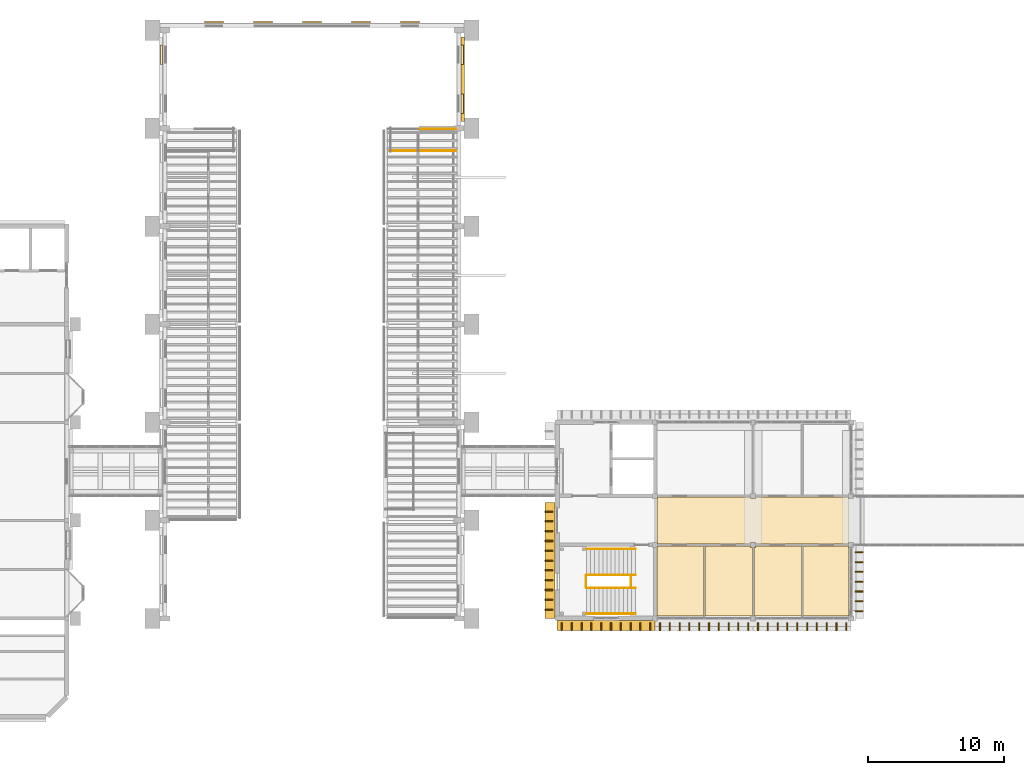
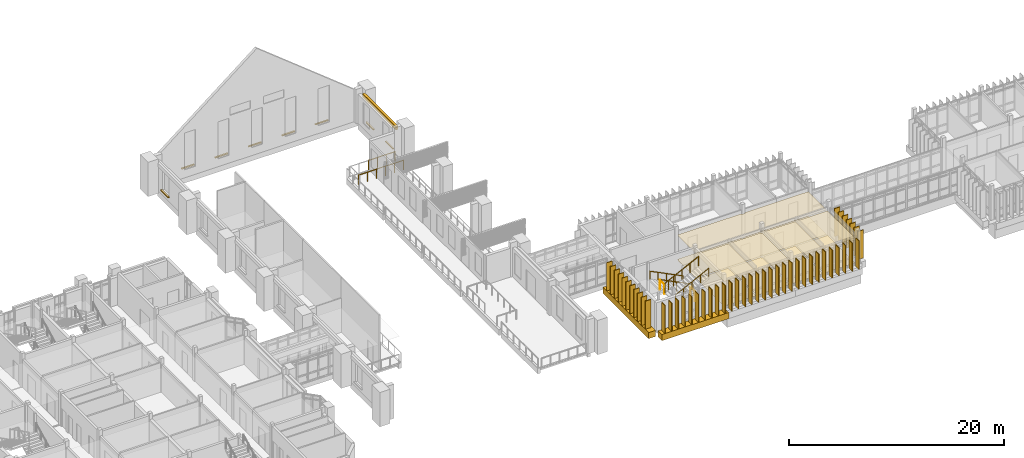
# One storey, part 62 of 69: 69 coverings, 8 railings.
"""IFC4 building model written with IfcOpenShell, lengths in metres."""

from ifc_helpers import new_model, si_unit, direction, frame, origin, origin_2d, place, context, subcontext, project, spatial, polyline, rectangle, circle, outline, extrude, material, layer, layer_set, type_object, element, save


model = new_model("IFC4")

# Units and contexts
model_context = context("Model", 3, precision=1e-05, world=origin(), true_north=direction((0.0, 1.0)))
body_context = subcontext(model_context, "Body", "Model", "MODEL_VIEW")
ifc_project = project(units=[si_unit("LENGTHUNIT", "METRE"), si_unit("AREAUNIT", "SQUARE_METRE"), si_unit("VOLUMEUNIT", "CUBIC_METRE"), si_unit("PLANEANGLEUNIT", "RADIAN"), si_unit("MASSUNIT", "GRAM", prefix="KILO")], contexts=[model_context])

# Site, building, storey
site_placement = place(None, origin())
site = spatial("IfcSite", under=ifc_project, at=site_placement, CompositionType="ELEMENT")
building_placement = place(site_placement, origin())
building = spatial("IfcBuilding", under=site, at=building_placement, Name="Mazhai Court Health Centre", CompositionType="ELEMENT")
storey_placement = place(building_placement, frame((0.0, 0.0, 6.300048828125)))
storey = spatial("IfcBuildingStorey", under=building, at=storey_placement, Name="L01", CompositionType="ELEMENT", Elevation=6.300048828125)

# Coverings
ifc_material_1 = material(Name="Clay brick masonry", Category="masonry")
ifc_layer_1 = layer(ifc_material_1, 0.25)
ifc_layer_set_1 = layer_set([ifc_layer_1], Name="BRICK BAND 250")
covering_type_1 = type_object("IfcCoveringType", Name="BRICK BAND 250", PredefinedType="MOLDING", material=ifc_layer_set_1)
covering_1_placement = place(storey_placement, frame((0.0, 0.0, 3.050048828125)))
element("IfcCovering", 1, at=covering_1_placement, inside=storey, type_object=covering_type_1, Name="EB-V1-L01-E5-0", PredefinedType="MOLDING", context=body_context, shape_type="SweptSolid", body=[
    extrude(outline(polyline([(63.965087890625, 56.10009765625), (63.965087890625, 49.89990234375), (64.215087890625, 49.89990234375), (64.215087890625, 56.10009765625), (63.965087890625, 56.10009765625)])), origin(), (0.0, 0.0, 1.0), 0.39990234375),
])
ifc_material_2 = material(Name="Clay brick masonry", Category="masonry")
ifc_layer_2 = layer(ifc_material_2, 0.14990234375)
ifc_layer_set_2 = layer_set([ifc_layer_2], Name="BRICK SILL COURSE 150")
covering_type_2 = type_object("IfcCoveringType", Name="BRICK SILL COURSE 150", PredefinedType="MOLDING", material=ifc_layer_set_2)
covering_2_placement = place(storey_placement, frame((0.0, 0.0, 0.47998046875)))
element("IfcCovering", 2, at=covering_2_placement, inside=storey, type_object=covering_type_2, Name="ES-WN-V1-L01-W5b", PredefinedType="MOLDING", context=body_context, shape_type="SweptSolid", body=[
    extrude(outline(polyline([(42.034912109375, 54.10009765625), (42.034912109375, 55.5), (41.885009765625, 55.5), (41.885009765625, 54.10009765625), (42.034912109375, 54.10009765625)])), origin(), (0.0, 0.0, 1.0), 0.119873046875),
])
covering_3_placement = place(storey_placement, frame((0.0, 0.0, 0.47998046875)))
element("IfcCovering", 3, at=covering_3_placement, inside=storey, type_object=covering_type_2, Name="ES-WN-V1-L01-E5a", PredefinedType="MOLDING", context=body_context, shape_type="SweptSolid", body=[
    extrude(outline(polyline([(63.965087890625, 51.89990234375), (63.965087890625, 50.5), (64.114990234375, 50.5), (64.114990234375, 51.89990234375), (63.965087890625, 51.89990234375)])), origin(), (0.0, 0.0, 1.0), 0.119873046875),
])
covering_4_placement = place(storey_placement, frame((0.0, 0.0, 0.47998046875)))
element("IfcCovering", 4, at=covering_4_placement, inside=storey, type_object=covering_type_2, Name="ES-WN-V1-L01-E5b", PredefinedType="MOLDING", context=body_context, shape_type="SweptSolid", body=[
    extrude(outline(polyline([(63.965087890625, 55.5), (63.965087890625, 54.10009765625), (64.114990234375, 54.10009765625), (64.114990234375, 55.5), (63.965087890625, 55.5)])), origin(), (0.0, 0.0, 1.0), 0.119873046875),
])
covering_5_placement = place(storey_placement, frame((0.0, 0.0, 0.780029296875)))
element("IfcCovering", 5, at=covering_5_placement, inside=storey, type_object=covering_type_2, Name="ES-WN-V1-L01-N-72t", PredefinedType="MOLDING", context=body_context, shape_type="SweptSolid", body=[
    extrude(outline(polyline([(45.10009765625, 57.1298828125), (46.5, 57.1298828125), (46.5, 57.280029296875), (45.10009765625, 57.280029296875), (45.10009765625, 57.1298828125)])), origin(), (0.0, 0.0, 1.0), 0.119873046875),
])
covering_6_placement = place(storey_placement, frame((0.0, 0.0, 0.780029296875)))
element("IfcCovering", 6, at=covering_6_placement, inside=storey, type_object=covering_type_2, Name="ES-WN-V1-L01-N-36t", PredefinedType="MOLDING", context=body_context, shape_type="SweptSolid", body=[
    extrude(outline(polyline([(48.699951171875, 57.1298828125), (50.10009765625, 57.1298828125), (50.10009765625, 57.280029296875), (48.699951171875, 57.280029296875), (48.699951171875, 57.1298828125)])), origin(), (0.0, 0.0, 1.0), 0.119873046875),
])
covering_7_placement = place(storey_placement, frame((0.0, 0.0, 0.780029296875)))
element("IfcCovering", 7, at=covering_7_placement, inside=storey, type_object=covering_type_2, Name="ES-WN-V1-L01-N0t", PredefinedType="MOLDING", context=body_context, shape_type="SweptSolid", body=[
    extrude(outline(polyline([(52.300048828125, 57.1298828125), (53.699951171875, 57.1298828125), (53.699951171875, 57.280029296875), (52.300048828125, 57.280029296875), (52.300048828125, 57.1298828125)])), origin(), (0.0, 0.0, 1.0), 0.119873046875),
])
covering_8_placement = place(storey_placement, frame((0.0, 0.0, 0.780029296875)))
element("IfcCovering", 8, at=covering_8_placement, inside=storey, type_object=covering_type_2, Name="ES-WN-V1-L01-N36t", PredefinedType="MOLDING", context=body_context, shape_type="SweptSolid", body=[
    extrude(outline(polyline([(55.89990234375, 57.1298828125), (57.300048828125, 57.1298828125), (57.300048828125, 57.280029296875), (55.89990234375, 57.280029296875), (55.89990234375, 57.1298828125)])), origin(), (0.0, 0.0, 1.0), 0.119873046875),
])
covering_9_placement = place(storey_placement, frame((0.0, 0.0, 0.780029296875)))
element("IfcCovering", 9, at=covering_9_placement, inside=storey, type_object=covering_type_2, Name="ES-WN-V1-L01-N72t", PredefinedType="MOLDING", context=body_context, shape_type="SweptSolid", body=[
    extrude(outline(polyline([(59.5, 57.1298828125), (60.89990234375, 57.1298828125), (60.89990234375, 57.280029296875), (59.5, 57.280029296875), (59.5, 57.1298828125)])), origin(), (0.0, 0.0, 1.0), 0.119873046875),
])
ifc_material_3 = material(Name="Gypsum plasterboard ceiling")
ifc_layer_3 = layer(ifc_material_3, 0.02001953125)
ifc_layer_set_3 = layer_set([ifc_layer_3], Name="CEILING GYPSUM BOARD 20")
covering_type_3 = type_object("IfcCoveringType", Name="CEILING GYPSUM BOARD 20", PredefinedType="CEILING", material=ifc_layer_set_3)
covering_10_placement = place(storey_placement, frame((0.0, 0.0, 2.800048828125)))
element("IfcCovering", 10, at=covering_10_placement, inside=storey, type_object=covering_type_3, Name="ceil-V4-L01-A0-gp-consulting-room-1", PredefinedType="CEILING", context=body_context, shape_type="SweptSolid", body=[
    extrude(outline(polyline([(78.3798828125, 18.72509765625), (78.3798828125, 18.6201171875), (78.324951171875, 18.6201171875), (78.324951171875, 13.580078125), (78.3798828125, 13.580078125), (78.3798828125, 13.56494140625), (81.737548828125, 13.56494140625), (81.737548828125, 18.72509765625), (78.3798828125, 18.72509765625)])), origin(), (0.0, 0.0, 1.0), 0.02001953125),
])
covering_11_placement = place(storey_placement, frame((0.0, 0.0, 2.800048828125)))
element("IfcCovering", 11, at=covering_11_placement, inside=storey, type_object=covering_type_3, Name="ceil-V4-L01-A0-gp-consulting-room-2", PredefinedType="CEILING", context=body_context, shape_type="SweptSolid", body=[
    extrude(outline(polyline([(85.33740234375, 18.6201171875), (85.219970703125, 18.6201171875), (85.219970703125, 18.72509765625), (81.862548828125, 18.72509765625), (81.862548828125, 13.56494140625), (85.219970703125, 13.56494140625), (85.219970703125, 13.580078125), (85.33740234375, 13.580078125), (85.33740234375, 18.6201171875)])), origin(), (0.0, 0.0, 1.0), 0.02001953125),
])
covering_12_placement = place(storey_placement, frame((0.0, 0.0, 2.800048828125)))
element("IfcCovering", 12, at=covering_12_placement, inside=storey, type_object=covering_type_3, Name="ceil-V4-L01-A0-gp-consulting-room-3", PredefinedType="CEILING", context=body_context, shape_type="SweptSolid", body=[
    extrude(outline(polyline([(85.580078125, 18.72509765625), (85.580078125, 18.6201171875), (85.46240234375, 18.6201171875), (85.46240234375, 13.580078125), (85.580078125, 13.580078125), (85.580078125, 13.56494140625), (88.9375, 13.56494140625), (88.9375, 18.72509765625), (85.580078125, 18.72509765625)])), origin(), (0.0, 0.0, 1.0), 0.02001953125),
])
covering_13_placement = place(storey_placement, frame((0.0, 0.0, 2.800048828125)))
element("IfcCovering", 13, at=covering_13_placement, inside=storey, type_object=covering_type_3, Name="ceil-V4-L01-A0-gp-consulting-room-4", PredefinedType="CEILING", context=body_context, shape_type="SweptSolid", body=[
    extrude(outline(polyline([(92.43505859375, 18.6201171875), (92.419921875, 18.6201171875), (92.419921875, 18.72509765625), (89.0625, 18.72509765625), (89.0625, 13.56494140625), (92.419921875, 13.56494140625), (92.419921875, 13.580078125), (92.43505859375, 13.580078125), (92.43505859375, 18.6201171875)])), origin(), (0.0, 0.0, 1.0), 0.02001953125),
])
ifc_material_4 = material(Name="Mineral fibre ceiling tile")
ifc_layer_4 = layer(ifc_material_4, 0.014892578125)
ifc_layer_set_4 = layer_set([ifc_layer_4], Name="CEILING MINERAL FIBRE TILE 15")
covering_type_4 = type_object("IfcCoveringType", Name="CEILING MINERAL FIBRE TILE 15", PredefinedType="CEILING", material=ifc_layer_set_4)
covering_14_placement = place(storey_placement, frame((0.0, 0.0, 2.800048828125)))
element("IfcCovering", 14, at=covering_14_placement, inside=storey, type_object=covering_type_4, Name="ceil-V4-L01-corridor-0", PredefinedType="CEILING", context=body_context, shape_type="SweptSolid", body=[
    extrude(outline(polyline([(92.43505859375, 22.219970703125), (92.419921875, 22.219970703125), (92.419921875, 22.324951171875), (85.580078125, 22.324951171875), (85.580078125, 22.219970703125), (85.219970703125, 22.219970703125), (85.219970703125, 22.324951171875), (78.3798828125, 22.324951171875), (78.3798828125, 22.219970703125), (78.324951171875, 22.219970703125), (78.324951171875, 18.97998046875), (78.3798828125, 18.97998046875), (78.3798828125, 18.875), (85.219970703125, 18.875), (85.219970703125, 18.97998046875), (85.580078125, 18.97998046875), (85.580078125, 18.875), (92.419921875, 18.875), (92.419921875, 18.97998046875), (92.43505859375, 18.97998046875), (92.43505859375, 22.219970703125)])), origin(), (0.0, 0.0, 1.0), 0.014892578125),
])
ifc_material_5 = material(Name="Glulam GL24h", Category="wood")
covering_type_5 = type_object("IfcCoveringType", Name="FIN RAIL CLADDING 735x700", PredefinedType="CLADDING", material=ifc_material_5)
covering_15_placement = place(storey_placement, frame((74.60009765625, 12.866943359375, -0.7001953125), z_axis=(0.0, 0.0, 1.0), x_axis=(1.0, 0.0, 0.0)))
element("IfcCovering", 15, at=covering_15_placement, inside=storey, type_object=covering_type_5, Name="FR-V4-A0-L01", PredefinedType="CLADDING", context=body_context, shape_type="SweptSolid", body=[
    extrude(rectangle(XDim=7.199951171875, YDim=0.735107421875, at=origin_2d()), origin(), (0.0, 0.0, 1.0), 0.699951171875),
])
covering_16_placement = place(storey_placement, frame((70.468017578125, 17.64990234375, -0.7001953125), z_axis=(0.0, 0.0, 1.0), x_axis=(1.0, 0.0, 0.0)))
element("IfcCovering", 16, at=covering_16_placement, inside=storey, type_object=covering_type_5, Name="FR-V4-S0-L01", PredefinedType="CLADDING", context=body_context, shape_type="SweptSolid", body=[
    extrude(rectangle(XDim=0.735107421875, YDim=8.5, at=origin_2d()), origin(), (0.0, 0.0, 1.0), 0.699951171875),
])
ifc_material_6 = material(Name="Teak timber", Category="wood")
covering_type_6 = type_object("IfcCoveringType", Name="FIN TIMBER 80x600", PredefinedType="CLADDING", material=ifc_material_6)
for number, where, z_axis, x_axis, name in (
    (17, (71.360107421875, 12.800048828125, 0.0), (0.0, 0.0, 1.0), (1.0, 0.0, 0.0), "FN-V4-A0-L01-00"),
    (18, (72.080078125, 12.800048828125, 0.0), (0.0, 0.0, 1.0), (1.0, 0.0, 0.0), "FN-V4-A0-L01-01"),
    (19, (72.800048828125, 12.800048828125, 0.0), (0.0, 0.0, 1.0), (1.0, 0.0, 0.0), "FN-V4-A0-L01-02"),
    (20, (73.52001953125, 12.800048828125, 0.0), (0.0, 0.0, 1.0), (1.0, 0.0, 0.0), "FN-V4-A0-L01-03"),
    (21, (74.239990234375, 12.800048828125, 0.0), (0.0, 0.0, 1.0), (1.0, 0.0, 0.0), "FN-V4-A0-L01-04"),
    (22, (74.9599609375, 12.800048828125, 0.0), (0.0, 0.0, 1.0), (1.0, 0.0, 0.0), "FN-V4-A0-L01-05"),
    (23, (75.679931640625, 12.800048828125, 0.0), (0.0, 0.0, 1.0), (1.0, 0.0, 0.0), "FN-V4-A0-L01-06"),
    (24, (76.39990234375, 12.800048828125, 0.0), (0.0, 0.0, 1.0), (1.0, 0.0, 0.0), "FN-V4-A0-L01-07"),
    (25, (77.1201171875, 12.800048828125, 0.0), (0.0, 0.0, 1.0), (1.0, 0.0, 0.0), "FN-V4-A0-L01-08"),
    (26, (77.840087890625, 12.800048828125, 0.0), (0.0, 0.0, 1.0), (1.0, 0.0, 0.0), "FN-V4-A0-L01-09"),
    (27, (78.56005859375, 12.800048828125, 0.0), (0.0, 0.0, 1.0), (1.0, 0.0, 0.0), "FN-V4-A1-L01-00"),
    (28, (79.280029296875, 12.800048828125, 0.0), (0.0, 0.0, 1.0), (1.0, 0.0, 0.0), "FN-V4-A1-L01-01"),
    (29, (80.0, 12.800048828125, 0.0), (0.0, 0.0, 1.0), (1.0, 0.0, 0.0), "FN-V4-A1-L01-02"),
    (30, (80.719970703125, 12.800048828125, 0.0), (0.0, 0.0, 1.0), (1.0, 0.0, 0.0), "FN-V4-A1-L01-03"),
    (31, (81.43994140625, 12.800048828125, 0.0), (0.0, 0.0, 1.0), (1.0, 0.0, 0.0), "FN-V4-A1-L01-04"),
    (32, (82.159912109375, 12.800048828125, 0.0), (0.0, 0.0, 1.0), (1.0, 0.0, 0.0), "FN-V4-A1-L01-05"),
    (33, (82.8798828125, 12.800048828125, 0.0), (0.0, 0.0, 1.0), (1.0, 0.0, 0.0), "FN-V4-A1-L01-06"),
    (34, (83.60009765625, 12.800048828125, 0.0), (0.0, 0.0, 1.0), (1.0, 0.0, 0.0), "FN-V4-A1-L01-07"),
    (35, (84.320068359375, 12.800048828125, 0.0), (0.0, 0.0, 1.0), (1.0, 0.0, 0.0), "FN-V4-A1-L01-08"),
    (36, (85.0400390625, 12.800048828125, 0.0), (0.0, 0.0, 1.0), (1.0, 0.0, 0.0), "FN-V4-A1-L01-09"),
    (37, (85.760009765625, 12.800048828125, 0.0), (0.0, 0.0, 1.0), (1.0, 0.0, 0.0), "FN-V4-A2-L01-00"),
    (38, (86.47998046875, 12.800048828125, 0.0), (0.0, 0.0, 1.0), (1.0, 0.0, 0.0), "FN-V4-A2-L01-01"),
    (39, (87.199951171875, 12.800048828125, 0.0), (0.0, 0.0, 1.0), (1.0, 0.0, 0.0), "FN-V4-A2-L01-02"),
    (40, (87.919921875, 12.800048828125, 0.0), (0.0, 0.0, 1.0), (1.0, 0.0, 0.0), "FN-V4-A2-L01-03"),
    (41, (88.639892578125, 12.800048828125, 0.0), (0.0, 0.0, 1.0), (1.0, 0.0, 0.0), "FN-V4-A2-L01-04"),
    (42, (89.360107421875, 12.800048828125, 0.0), (0.0, 0.0, 1.0), (1.0, 0.0, 0.0), "FN-V4-A2-L01-05"),
    (43, (90.080078125, 12.800048828125, 0.0), (0.0, 0.0, 1.0), (1.0, 0.0, 0.0), "FN-V4-A2-L01-06"),
    (44, (90.800048828125, 12.800048828125, 0.0), (0.0, 0.0, 1.0), (1.0, 0.0, 0.0), "FN-V4-A2-L01-07"),
    (45, (91.52001953125, 12.800048828125, 0.0), (0.0, 0.0, 1.0), (1.0, 0.0, 0.0), "FN-V4-A2-L01-08"),
    (46, (92.239990234375, 12.800048828125, 0.0), (0.0, 0.0, 1.0), (1.0, 0.0, 0.0), "FN-V4-A2-L01-09"),
    (47, (70.39990234375, 14.050048828125, 0.0), (0.0, 0.0, 1.0), (0.0, 1.0, 0.0), "FN-V4-S0-L01-00"),
    (48, (70.39990234375, 14.77001953125, 0.0), (0.0, 0.0, 1.0), (0.0, 1.0, 0.0), "FN-V4-S0-L01-01"),
    (49, (70.39990234375, 15.489990234375, 0.0), (0.0, 0.0, 1.0), (0.0, 1.0, 0.0), "FN-V4-S0-L01-02"),
    (50, (70.39990234375, 16.2099609375, 0.0), (0.0, 0.0, 1.0), (0.0, 1.0, 0.0), "FN-V4-S0-L01-03"),
    (51, (70.39990234375, 16.929931640625, 0.0), (0.0, 0.0, 1.0), (0.0, 1.0, 0.0), "FN-V4-S0-L01-04"),
    (52, (70.39990234375, 17.64990234375, 0.0), (0.0, 0.0, 1.0), (0.0, 1.0, 0.0), "FN-V4-S0-L01-05"),
    (53, (70.39990234375, 18.3701171875, 0.0), (0.0, 0.0, 1.0), (0.0, 1.0, 0.0), "FN-V4-S0-L01-06"),
    (54, (70.39990234375, 19.090087890625, 0.0), (0.0, 0.0, 1.0), (0.0, 1.0, 0.0), "FN-V4-S0-L01-07"),
    (55, (70.39990234375, 19.81005859375, 0.0), (0.0, 0.0, 1.0), (0.0, 1.0, 0.0), "FN-V4-S0-L01-08"),
    (56, (70.39990234375, 20.530029296875, 0.0), (0.0, 0.0, 1.0), (0.0, 1.0, 0.0), "FN-V4-S0-L01-09"),
    (57, (70.39990234375, 21.25, 0.0), (0.0, 0.0, 1.0), (0.0, 1.0, 0.0), "FN-V4-S0-L01-10"),
    (58, (93.199951171875, 13.93994140625, 0.0), (0.0, 0.0, 1.0), (0.0, 1.0, 0.0), "FN-V4-CE2-0-L01-00"),
    (59, (93.199951171875, 14.659912109375, 0.0), (0.0, 0.0, 1.0), (0.0, 1.0, 0.0), "FN-V4-CE2-0-L01-01"),
    (60, (93.199951171875, 15.3798828125, 0.0), (0.0, 0.0, 1.0), (0.0, 1.0, 0.0), "FN-V4-CE2-0-L01-02"),
    (61, (93.199951171875, 16.10009765625, 0.0), (0.0, 0.0, 1.0), (0.0, 1.0, 0.0), "FN-V4-CE2-0-L01-03"),
    (62, (93.199951171875, 16.820068359375, 0.0), (0.0, 0.0, 1.0), (0.0, 1.0, 0.0), "FN-V4-CE2-0-L01-04"),
    (63, (93.199951171875, 17.5400390625, 0.0), (0.0, 0.0, 1.0), (0.0, 1.0, 0.0), "FN-V4-CE2-0-L01-05"),
    (64, (93.199951171875, 18.260009765625, 0.0), (0.0, 0.0, 1.0), (0.0, 1.0, 0.0), "FN-V4-CE2-0-L01-06"),
):
    element("IfcCovering", number, at=place(storey_placement, frame(where, z_axis=z_axis, x_axis=x_axis)), inside=storey, type_object=covering_type_6, Name=name, PredefinedType="CLADDING", context=body_context, shape_type="SweptSolid", body=[
        extrude(rectangle(XDim=0.080078125, YDim=0.60009765625, at=origin_2d()), origin(), (0.0, 0.0, 1.0), 3.199951171875),
    ])
ifc_material_7 = material(Name="Heavy duty vinyl flooring")
ifc_layer_5 = layer(ifc_material_7, 0.02001953125)
ifc_layer_set_5 = layer_set([ifc_layer_5], Name="FLOOR FINISH HEAVY DUTY VINYL FLOORING 20")
covering_type_7 = type_object("IfcCoveringType", Name="FLOOR FINISH HEAVY DUTY VINYL FLOORING 20", PredefinedType="FLOORING", material=ifc_layer_set_5)
covering_17_placement = place(storey_placement, origin())
element("IfcCovering", 65, at=covering_17_placement, inside=storey, type_object=covering_type_7, Name="floor-V4-L01-A0-gp-consulting-room-1", PredefinedType="FLOORING", context=body_context, shape_type="SweptSolid", body=[
    extrude(outline(polyline([(78.3798828125, 18.72509765625), (78.3798828125, 18.6201171875), (78.324951171875, 18.6201171875), (78.324951171875, 13.580078125), (78.3798828125, 13.580078125), (78.3798828125, 13.56494140625), (81.737548828125, 13.56494140625), (81.737548828125, 18.72509765625), (78.3798828125, 18.72509765625)])), origin(), (0.0, 0.0, 1.0), 0.02001953125),
])
covering_18_placement = place(storey_placement, origin())
element("IfcCovering", 66, at=covering_18_placement, inside=storey, type_object=covering_type_7, Name="floor-V4-L01-A0-gp-consulting-room-2", PredefinedType="FLOORING", context=body_context, shape_type="SweptSolid", body=[
    extrude(outline(polyline([(85.33740234375, 18.6201171875), (85.219970703125, 18.6201171875), (85.219970703125, 18.72509765625), (81.862548828125, 18.72509765625), (81.862548828125, 13.56494140625), (85.219970703125, 13.56494140625), (85.219970703125, 13.580078125), (85.33740234375, 13.580078125), (85.33740234375, 18.6201171875)])), origin(), (0.0, 0.0, 1.0), 0.02001953125),
])
covering_19_placement = place(storey_placement, origin())
element("IfcCovering", 67, at=covering_19_placement, inside=storey, type_object=covering_type_7, Name="floor-V4-L01-A0-gp-consulting-room-3", PredefinedType="FLOORING", context=body_context, shape_type="SweptSolid", body=[
    extrude(outline(polyline([(85.580078125, 18.72509765625), (85.580078125, 18.6201171875), (85.46240234375, 18.6201171875), (85.46240234375, 13.580078125), (85.580078125, 13.580078125), (85.580078125, 13.56494140625), (88.9375, 13.56494140625), (88.9375, 18.72509765625), (85.580078125, 18.72509765625)])), origin(), (0.0, 0.0, 1.0), 0.02001953125),
])
covering_20_placement = place(storey_placement, origin())
element("IfcCovering", 68, at=covering_20_placement, inside=storey, type_object=covering_type_7, Name="floor-V4-L01-A0-gp-consulting-room-4", PredefinedType="FLOORING", context=body_context, shape_type="SweptSolid", body=[
    extrude(outline(polyline([(92.43505859375, 18.6201171875), (92.419921875, 18.6201171875), (92.419921875, 18.72509765625), (89.0625, 18.72509765625), (89.0625, 13.56494140625), (92.419921875, 13.56494140625), (92.419921875, 13.580078125), (92.43505859375, 13.580078125), (92.43505859375, 18.6201171875)])), origin(), (0.0, 0.0, 1.0), 0.02001953125),
])
ifc_material_8 = material(Name="Terrazzo flooring")
ifc_layer_6 = layer(ifc_material_8, 0.0400390625)
ifc_layer_set_6 = layer_set([ifc_layer_6], Name="FLOOR FINISH TERRAZZO FLOORING 40")
covering_type_8 = type_object("IfcCoveringType", Name="FLOOR FINISH TERRAZZO FLOORING 40", PredefinedType="FLOORING", material=ifc_layer_set_6)
covering_21_placement = place(storey_placement, origin())
element("IfcCovering", 69, at=covering_21_placement, inside=storey, type_object=covering_type_8, Name="floor-V4-L01-corridor-0", PredefinedType="FLOORING", context=body_context, shape_type="SweptSolid", body=[
    extrude(outline(polyline([(92.43505859375, 22.219970703125), (92.419921875, 22.219970703125), (92.419921875, 22.324951171875), (85.580078125, 22.324951171875), (85.580078125, 22.219970703125), (85.219970703125, 22.219970703125), (85.219970703125, 22.324951171875), (78.3798828125, 22.324951171875), (78.3798828125, 22.219970703125), (78.324951171875, 22.219970703125), (78.324951171875, 18.97998046875), (78.3798828125, 18.97998046875), (78.3798828125, 18.875), (85.219970703125, 18.875), (85.219970703125, 18.97998046875), (85.580078125, 18.97998046875), (85.580078125, 18.875), (92.419921875, 18.875), (92.419921875, 18.97998046875), (92.43505859375, 18.97998046875), (92.43505859375, 22.219970703125)])), origin(), (0.0, 0.0, 1.0), 0.0400390625),
])

# Railings
ifc_material_9 = material(Name="Steel IS 2062 E250", Category="steel")
railing_type_1 = type_object("IfcRailingType", Name="STAIR GUARD 1100", PredefinedType="GUARDRAIL", material=ifc_material_9)
railing_1_placement = place(storey_placement, frame((76.764892578125, 16.594970703125, 0.14990234375)))
element("IfcRailing", 70, at=railing_1_placement, inside=storey, type_object=railing_type_1, Name="L01 ST6 stair guard 1", PredefinedType="GUARDRAIL", context=body_context, shape_type="SweptSolid", body=[
    extrude(circle(Radius=0.02392578125, at=origin_2d()), frame((0.0, 0.0, 1.076171875), z_axis=(-0.894415058897, 0.0, 0.447237858884), x_axis=(0.0, -1.0, 0.0)), (0.0, 0.0, 1.0), 4.02490234375),
    extrude(circle(Radius=0.02099609375, at=origin_2d()), origin(), (0.0, 0.0, 1.0), 1.052001953125),
    extrude(circle(Radius=0.02099609375, at=origin_2d()), frame((-0.89990234375, 0.0, 0.449951171875)), (0.0, 0.0, 1.0), 1.052001953125),
    extrude(circle(Radius=0.02099609375, at=origin_2d()), frame((-1.7998046875, 0.0, 0.89990234375)), (0.0, 0.0, 1.0), 1.052001953125),
    extrude(circle(Radius=0.02099609375, at=origin_2d()), frame((-2.699951171875, 0.0, 1.35009765625)), (0.0, 0.0, 1.0), 1.052001953125),
    extrude(circle(Radius=0.02099609375, at=origin_2d()), frame((-3.599853515625, 0.0, 1.800048828125)), (0.0, 0.0, 1.0), 1.052001953125),
])
railing_2_placement = place(storey_placement, frame((73.114990234375, 16.544921875, 1.949951171875)))
element("IfcRailing", 71, at=railing_2_placement, inside=storey, type_object=railing_type_1, Name="L01 ST6 stair guard 2", PredefinedType="GUARDRAIL", context=body_context, shape_type="SweptSolid", body=[
    extrude(circle(Radius=0.02392578125, at=origin_2d()), frame((0.0, 0.0, 1.076171875), z_axis=(0.0, -1.0, 0.0), x_axis=(1.0, 0.0, 0.0)), (0.0, 0.0, 1.0), 0.849853515625),
    extrude(circle(Radius=0.02099609375, at=origin_2d()), origin(), (0.0, 0.0, 1.0), 1.052001953125),
    extrude(circle(Radius=0.02099609375, at=origin_2d()), frame((0.0, -0.849853515625, 0.0)), (0.0, 0.0, 1.0), 1.052001953125),
])
railing_3_placement = place(storey_placement, frame((73.1650390625, 15.64501953125, 2.099853515625)))
element("IfcRailing", 72, at=railing_3_placement, inside=storey, type_object=railing_type_1, Name="L01 ST6 stair guard 3", PredefinedType="GUARDRAIL", context=body_context, shape_type="SweptSolid", body=[
    extrude(circle(Radius=0.02392578125, at=origin_2d()), frame((0.0, 0.0, 1.076171875), z_axis=(0.894415058897, 0.0, 0.447237858884), x_axis=(0.0, 1.0, 0.0)), (0.0, 0.0, 1.0), 4.02490234375),
    extrude(circle(Radius=0.02099609375, at=origin_2d()), origin(), (0.0, 0.0, 1.0), 1.052001953125),
    extrude(circle(Radius=0.02099609375, at=origin_2d()), frame((0.89990234375, 0.0, 0.449951171875)), (0.0, 0.0, 1.0), 1.052001953125),
    extrude(circle(Radius=0.02099609375, at=origin_2d()), frame((1.7998046875, 0.0, 0.89990234375)), (0.0, 0.0, 1.0), 1.052001953125),
    extrude(circle(Radius=0.02099609375, at=origin_2d()), frame((2.699951171875, 0.0, 1.35009765625)), (0.0, 0.0, 1.0), 1.052001953125),
    extrude(circle(Radius=0.02099609375, at=origin_2d()), frame((3.599853515625, 0.0, 1.800048828125)), (0.0, 0.0, 1.0), 1.052001953125),
])
railing_4_placement = place(storey_placement, frame((76.425048828125, 16.544921875, 0.0)))
element("IfcRailing", 73, at=railing_4_placement, inside=storey, type_object=railing_type_1, Name="L01 ST6 stair guard 4", PredefinedType="GUARDRAIL", context=body_context, shape_type="SweptSolid", body=[
    extrude(circle(Radius=0.02392578125, at=origin_2d()), frame((0.0, 0.0, 1.076171875), z_axis=(0.0, -1.0, 0.0), x_axis=(1.0, 0.0, 0.0)), (0.0, 0.0, 1.0), 0.849853515625),
    extrude(circle(Radius=0.02099609375, at=origin_2d()), origin(), (0.0, 0.0, 1.0), 1.052001953125),
    extrude(circle(Radius=0.02099609375, at=origin_2d()), frame((0.0, -0.849853515625, 0.0)), (0.0, 0.0, 1.0), 1.052001953125),
])
railing_5_placement = place(storey_placement, frame((63.5673828125, 49.35009765625, 0.0)))
element("IfcRailing", 74, at=railing_5_placement, inside=storey, type_object=railing_type_1, Name="L01 ST12 top well guard 1", PredefinedType="GUARDRAIL", context=body_context, shape_type="SweptSolid", body=[
    extrude(circle(Radius=0.02392578125, at=origin_2d()), frame((0.0, 0.0, 1.076171875), z_axis=(-1.0, 0.0, 0.0), x_axis=(0.0, -1.0, 0.0)), (0.0, 0.0, 1.0), 2.849853515625),
    extrude(circle(Radius=0.02099609375, at=origin_2d()), origin(), (0.0, 0.0, 1.0), 1.052001953125),
    extrude(circle(Radius=0.02099609375, at=origin_2d()), frame((-0.949951171875, 0.0, 0.0)), (0.0, 0.0, 1.0), 1.052001953125),
    extrude(circle(Radius=0.02099609375, at=origin_2d()), frame((-1.89990234375, 0.0, 0.0)), (0.0, 0.0, 1.0), 1.052001953125),
    extrude(circle(Radius=0.02099609375, at=origin_2d()), frame((-2.849853515625, 0.0, 0.0)), (0.0, 0.0, 1.0), 1.052001953125),
])
railing_6_placement = place(storey_placement, frame((63.5673828125, 47.75, 0.0)))
element("IfcRailing", 75, at=railing_6_placement, inside=storey, type_object=railing_type_1, Name="L01 ST12 top well guard 3", PredefinedType="GUARDRAIL", context=body_context, shape_type="SweptSolid", body=[
    extrude(circle(Radius=0.02392578125, at=origin_2d()), frame((0.0, 0.0, 1.076171875), z_axis=(-1.0, 0.0, 0.0), x_axis=(0.0, -1.0, 0.0)), (0.0, 0.0, 1.0), 4.849853515625),
    extrude(circle(Radius=0.02099609375, at=origin_2d()), origin(), (0.0, 0.0, 1.0), 1.052001953125),
    extrude(circle(Radius=0.02099609375, at=origin_2d()), frame((-0.969970703125, 0.0, 0.0)), (0.0, 0.0, 1.0), 1.052001953125),
    extrude(circle(Radius=0.02099609375, at=origin_2d()), frame((-1.93994140625, 0.0, 0.0)), (0.0, 0.0, 1.0), 1.052001953125),
    extrude(circle(Radius=0.02099609375, at=origin_2d()), frame((-2.909912109375, 0.0, 0.0)), (0.0, 0.0, 1.0), 1.052001953125),
    extrude(circle(Radius=0.02099609375, at=origin_2d()), frame((-3.8798828125, 0.0, 0.0)), (0.0, 0.0, 1.0), 1.052001953125),
    extrude(circle(Radius=0.02099609375, at=origin_2d()), frame((-4.849853515625, 0.0, 0.0)), (0.0, 0.0, 1.0), 1.052001953125),
])
ifc_material_10 = material(Name="Steel IS 2062 E250", Category="steel")
railing_type_2 = type_object("IfcRailingType", Name="STAIR HANDRAIL 900", PredefinedType="HANDRAIL", material=ifc_material_10)
railing_7_placement = place(storey_placement, frame((76.764892578125, 18.4951171875, 0.14990234375)))
element("IfcRailing", 76, at=railing_7_placement, inside=storey, type_object=railing_type_2, Name="L01 ST6 stair handrail 1", PredefinedType="HANDRAIL", context=body_context, shape_type="SweptSolid", body=[
    extrude(circle(Radius=0.02392578125, at=origin_2d()), frame((0.0, 0.0, 0.8759765625), z_axis=(-0.894415058897, 0.0, 0.447237858884), x_axis=(0.0, -1.0, 0.0)), (0.0, 0.0, 1.0), 4.02490234375),
    extrude(circle(Radius=0.02099609375, at=origin_2d()), origin(), (0.0, 0.0, 1.0), 0.851806640625),
    extrude(circle(Radius=0.02099609375, at=origin_2d()), frame((-0.89990234375, 0.0, 0.449951171875)), (0.0, 0.0, 1.0), 0.851806640625),
    extrude(circle(Radius=0.02099609375, at=origin_2d()), frame((-1.7998046875, 0.0, 0.89990234375)), (0.0, 0.0, 1.0), 0.851806640625),
    extrude(circle(Radius=0.02099609375, at=origin_2d()), frame((-2.699951171875, 0.0, 1.35009765625)), (0.0, 0.0, 1.0), 0.851806640625),
    extrude(circle(Radius=0.02099609375, at=origin_2d()), frame((-3.599853515625, 0.0, 1.800048828125)), (0.0, 0.0, 1.0), 0.851806640625),
])
railing_8_placement = place(storey_placement, frame((73.1650390625, 13.7451171875, 2.099853515625)))
element("IfcRailing", 77, at=railing_8_placement, inside=storey, type_object=railing_type_2, Name="L01 ST6 stair handrail 2", PredefinedType="HANDRAIL", context=body_context, shape_type="SweptSolid", body=[
    extrude(circle(Radius=0.02392578125, at=origin_2d()), frame((0.0, 0.0, 0.8759765625), z_axis=(0.894415058897, 0.0, 0.447237858884), x_axis=(0.0, 1.0, 0.0)), (0.0, 0.0, 1.0), 4.02490234375),
    extrude(circle(Radius=0.02099609375, at=origin_2d()), origin(), (0.0, 0.0, 1.0), 0.851806640625),
    extrude(circle(Radius=0.02099609375, at=origin_2d()), frame((0.89990234375, 0.0, 0.449951171875)), (0.0, 0.0, 1.0), 0.851806640625),
    extrude(circle(Radius=0.02099609375, at=origin_2d()), frame((1.7998046875, 0.0, 0.89990234375)), (0.0, 0.0, 1.0), 0.851806640625),
    extrude(circle(Radius=0.02099609375, at=origin_2d()), frame((2.699951171875, 0.0, 1.35009765625)), (0.0, 0.0, 1.0), 0.851806640625),
    extrude(circle(Radius=0.02099609375, at=origin_2d()), frame((3.599853515625, 0.0, 1.800048828125)), (0.0, 0.0, 1.0), 0.851806640625),
])

save(model, "model.ifc")
